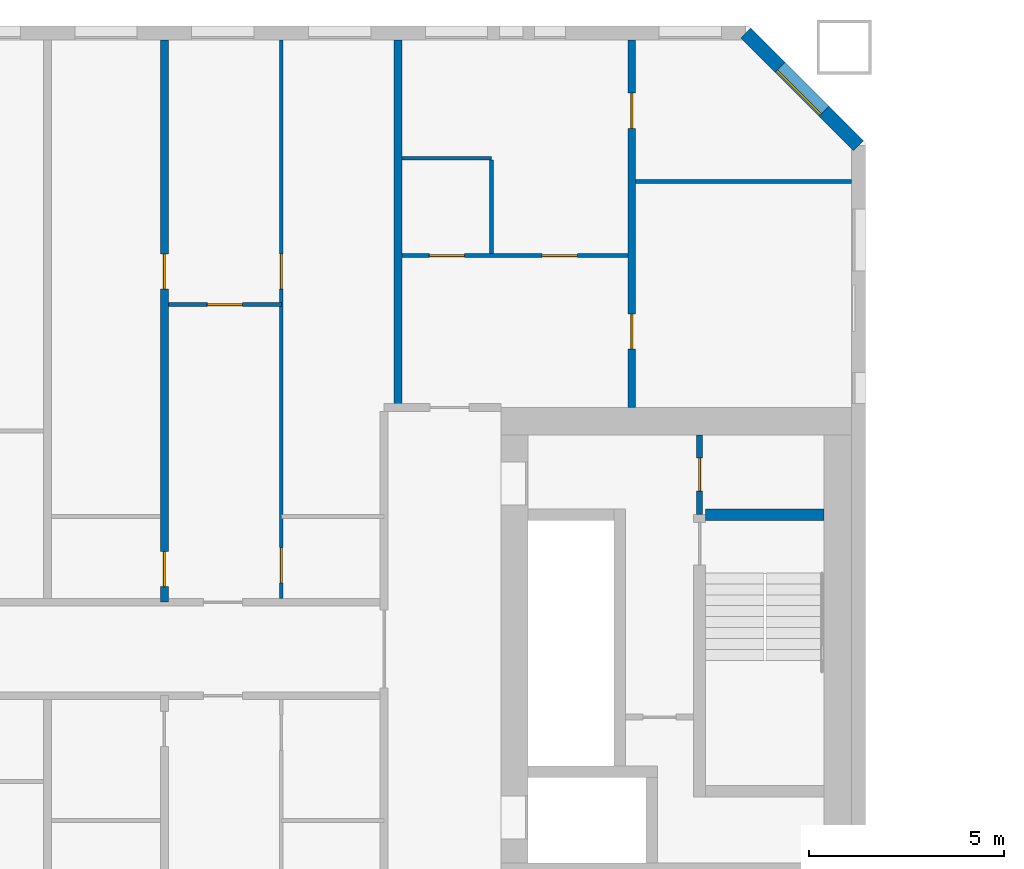
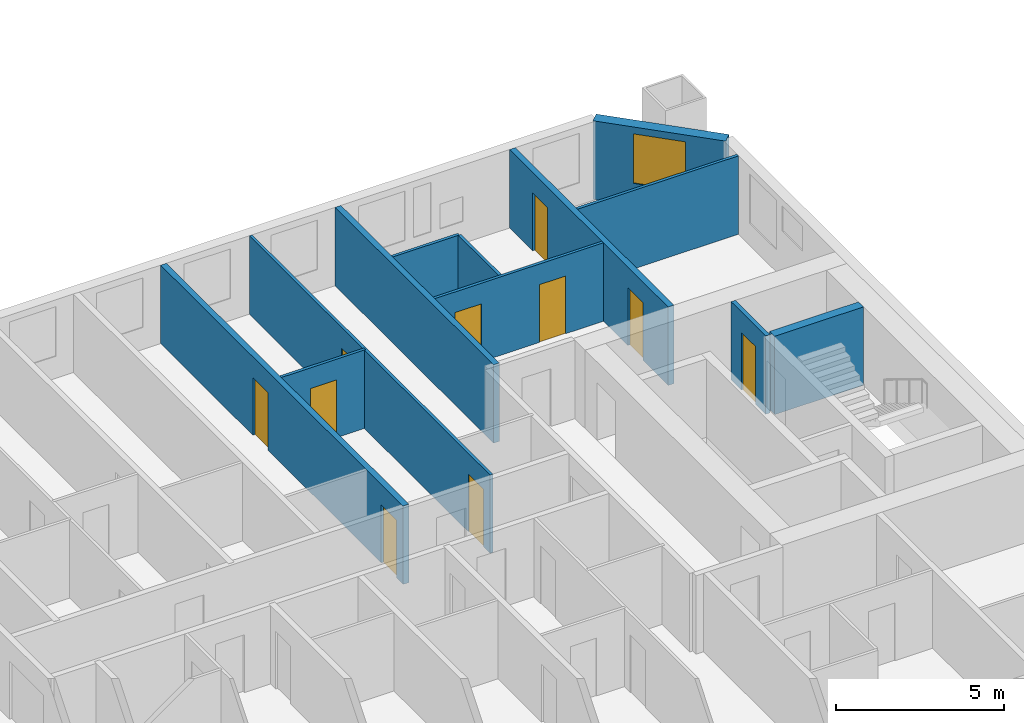
# One storey, part 8 of 17: 12 walls, 10 doors, 1 window, 11 openings.
"""IFC4 building model written with IfcOpenShell, lengths in metres."""

from ifc_helpers import new_model, si_unit, direction, frame, frame_2d, origin, place, context, subcontext, project, spatial, rectangle, extrude, material, layer, layer_set, type_object, element, fill, save


model = new_model("IFC4")

# Units and contexts
model_context = context("Model", 3, precision=1e-05, world=origin(), true_north=direction((0.0, 1.0)))
body_context = subcontext(model_context, "Body", "Model", "MODEL_VIEW")
ifc_project = project(units=[si_unit("LENGTHUNIT", "METRE"), si_unit("AREAUNIT", "SQUARE_METRE"), si_unit("VOLUMEUNIT", "CUBIC_METRE"), si_unit("PLANEANGLEUNIT", "RADIAN"), si_unit("MASSUNIT", "GRAM", prefix="KILO")], contexts=[model_context])

# Site, building, storey
site_placement = place(None, origin())
site = spatial("IfcSite", under=ifc_project, at=site_placement, CompositionType="ELEMENT")
building_placement = place(site_placement, origin())
building = spatial("IfcBuilding", under=site, at=building_placement, Name="Tuart Gate Housing", CompositionType="ELEMENT")
storey_placement = place(building_placement, frame((0.0, 0.0, 71.60009765625)))
storey = spatial("IfcBuildingStorey", under=building, at=storey_placement, Name="L19", CompositionType="ELEMENT", Elevation=71.60009765625)

# Wall, opening, window
ifc_material_1 = material(Name="Brick", Category="masonry")
ifc_layer_1 = layer(ifc_material_1, 0.360107421875)
ifc_layer_set_1 = layer_set([ifc_layer_1], Name="Brick pier and spandrel wall 360")
wall_type_1 = type_object("IfcWallType", Name="Brick pier and spandrel wall 360", PredefinedType="STANDARD", material=ifc_layer_set_1)
wall_1_placement = place(storey_placement, frame((75.820068359375, 82.92529296875, 0.0), z_axis=(0.0, 0.0, 1.0), x_axis=(-0.707106781187, 0.707106781187, 0.0)))
wall_1 = element("IfcWall", 1, at=wall_1_placement, inside=storey, type_object=wall_type_1, Name="External wall A-NE L19", PredefinedType="STANDARD", context=body_context, shape_type="SweptSolid", body=[
    extrude(rectangle(XDim=4.09375, YDim=0.360107421875, at=frame_2d((2.046875, 0.0))), origin(), (0.0, 0.0, 1.0), 2.849853515625),
])
opening_1_placement = place(wall_1_placement, frame((1.2470703125, 0.0, 0.800048828125)))
opening_1 = element("IfcOpeningElement", 2, at=opening_1_placement, cuts=wall_1, Name="Opening W1", PredefinedType="OPENING", context=body_context, shape_type="SweptSolid", body=[
    extrude(rectangle(XDim=1.60009765625, YDim=1.800048828125, at=frame_2d((0.800048828125, 0.89990234375))), frame((0.0, 0.18994140625, 0.0), z_axis=(0.0, -1.0, 0.0), x_axis=(1.0, 0.0, 0.0)), (0.0, 0.0, 1.0), 0.380126953125),
])
ifc_material_2 = material(Name="Aluminium frame with clear glass", Category="aluminium")
window_type = type_object("IfcWindowType", Name="Punched window 1600 x 1800", PartitioningType="SINGLE_PANEL", PredefinedType="WINDOW", material=ifc_material_2)
window_placement = place(opening_1_placement, origin())
window = element("IfcWindow", 3, at=window_placement, inside=storey, type_object=window_type, Name="Window W1", OverallHeight=1.800048828125, OverallWidth=1.60009765625, PartitioningType="SINGLE_PANEL", PredefinedType="WINDOW", context=body_context, shape_type="SweptSolid", body=[
    extrude(rectangle(XDim=1.60009765625, YDim=1.800048828125, at=frame_2d((0.800048828125, 0.89990234375))), frame((0.0, 0.150146484375, 0.0), z_axis=(0.0, -1.0, 0.0), x_axis=(1.0, 0.0, 0.0)), (0.0, 0.0, 1.0), 0.06005859375),
])
fill(opening_1, window)

# Wall, opening, door
ifc_material_3 = material(Name="Plasterboard partition")
ifc_layer_2 = layer(ifc_material_3, 0.14990234375)
ifc_layer_set_2 = layer_set([ifc_layer_2], Name="Core partition 150")
wall_type_2 = type_object("IfcWallType", Name="Core partition 150", PredefinedType="PARTITIONING", material=ifc_layer_set_2)
wall_2_placement = place(storey_placement, frame((71.739990234375, 73.449951171875, 0.0), z_axis=(0.0, 0.0, 1.0), x_axis=(0.0, 1.0, 0.0)))
wall_2 = element("IfcWall", 4, at=wall_2_placement, inside=storey, type_object=wall_type_2, Name="Core partition AG.9", PredefinedType="PARTITIONING", context=body_context, shape_type="SweptSolid", body=[
    extrude(rectangle(XDim=2.050048828125, YDim=0.14990234375, at=frame_2d((1.02490234375, 0.0))), origin(), (0.0, 0.0, 1.0), 2.849853515625),
])
opening_2_placement = place(wall_2_placement, frame((0.60009765625, 0.0, 0.0)))
opening_2 = element("IfcOpeningElement", 5, at=opening_2_placement, cuts=wall_2, Name="Opening D857", PredefinedType="OPENING", context=body_context, shape_type="SweptSolid", body=[
    extrude(rectangle(XDim=0.85009765625, YDim=2.10009765625, at=frame_2d((0.425048828125, 1.050048828125))), frame((0.0, 0.0849609375, 0.0), z_axis=(0.0, -1.0, 0.0), x_axis=(1.0, 0.0, 0.0)), (0.0, 0.0, 1.0), 0.169921875),
])
ifc_material_4 = material(Name="Steel fire door", Category="steel")
door_type_1 = type_object("IfcDoorType", Name="Service door 850 x 2100 RH", OperationType="SINGLE_SWING_RIGHT", PredefinedType="DOOR", material=ifc_material_4)
door_1_placement = place(opening_2_placement, frame((0.85009765625, 0.0, 0.0), z_axis=(0.0, 0.0, 1.0), x_axis=(-1.0, 0.0, 0.0)))
door_1 = element("IfcDoor", 6, at=door_1_placement, inside=storey, type_object=door_type_1, Name="Service room door AG.ST", OperationType="SINGLE_SWING_RIGHT", OverallHeight=2.10009765625, OverallWidth=0.85009765625, PredefinedType="DOOR", context=body_context, shape_type="SweptSolid", body=[
    extrude(rectangle(XDim=0.85009765625, YDim=2.10009765625, at=frame_2d((0.425048828125, 1.050048828125))), frame((0.0, 0.025146484375, 0.0), z_axis=(0.0, -1.0, 0.0), x_axis=(1.0, 0.0, 0.0)), (0.0, 0.0, 1.0), 0.050048828125),
])
fill(opening_2, door_1)

# Wall
ifc_material_5 = material(Name="Concrete C50", Category="concrete")
ifc_layer_3 = layer(ifc_material_5, 0.300048828125)
ifc_layer_set_3 = layer_set([ifc_layer_3], Name="Core wall 300 C50")
wall_type_3 = type_object("IfcWallType", Name="Core wall 300 C50", PredefinedType="SHEAR", material=ifc_layer_set_3)
wall_3_placement = place(storey_placement, frame((71.889892578125, 73.449951171875, 0.0), z_axis=(0.0, 0.0, 1.0), x_axis=(1.0, 0.0, 0.0)))
element("IfcWall", 7, at=wall_3_placement, inside=storey, type_object=wall_type_3, Name="Core wall AG.5", PredefinedType="SHEAR", context=body_context, shape_type="SweptSolid", body=[
    extrude(rectangle(XDim=3.050048828125, YDim=0.300048828125, at=frame_2d((1.52490234375, 0.0))), origin(), (0.0, 0.0, 1.0), 2.849853515625),
])

# Wall, opening, door
ifc_material_6 = material(Name="Gypsum board on steel studs", Category="steel")
ifc_layer_4 = layer(ifc_material_6, 0.10009765625)
ifc_layer_set_4 = layer_set([ifc_layer_4], Name="Partition 100")
wall_type_4 = type_object("IfcWallType", Name="Partition 100", PredefinedType="PARTITIONING", material=ifc_layer_set_4)
wall_4_placement = place(storey_placement, frame((58.10009765625, 78.840087890625, 0.0), z_axis=(0.0, 0.0, 1.0), x_axis=(1.0, 0.0, 0.0)))
wall_4 = element("IfcWall", 8, at=wall_4_placement, inside=storey, type_object=wall_type_4, Name="Partition 100", PredefinedType="PARTITIONING", context=body_context, shape_type="SweptSolid", body=[
    extrude(rectangle(XDim=2.89990234375, YDim=0.10009765625, at=frame_2d((1.449951171875, 0.0))), origin(), (0.0, 0.0, 1.0), 2.849853515625),
])
opening_3_placement = place(wall_4_placement, frame((1.0, 0.0, 0.0)))
opening_3 = element("IfcOpeningElement", 9, at=opening_3_placement, cuts=wall_4, Name="Opening D842", PredefinedType="OPENING", context=body_context, shape_type="SweptSolid", body=[
    extrude(rectangle(XDim=0.89990234375, YDim=2.10009765625, at=frame_2d((0.449951171875, 1.050048828125))), frame((0.0, 0.06005859375, 0.0), z_axis=(0.0, -1.0, 0.0), x_axis=(1.0, 0.0, 0.0)), (0.0, 0.0, 1.0), 0.1201171875),
])
ifc_material_7 = material(Name="Timber door leaf in steel frame", Category="steel")
door_type_2 = type_object("IfcDoorType", Name="Internal door 900", OperationType="SINGLE_SWING_LEFT", PredefinedType="DOOR", material=ifc_material_7)
door_2_placement = place(opening_3_placement, frame((0.89990234375, 0.0, 0.0), z_axis=(0.0, 0.0, 1.0), x_axis=(-1.0, 0.0, 0.0)))
door_2 = element("IfcDoor", 10, at=door_2_placement, inside=storey, type_object=door_type_2, Name="Internal door", OperationType="SINGLE_SWING_LEFT", OverallHeight=2.10009765625, OverallWidth=0.89990234375, PredefinedType="DOOR", context=body_context, shape_type="SweptSolid", body=[
    extrude(rectangle(XDim=0.89990234375, YDim=2.10009765625, at=frame_2d((0.449951171875, 1.050048828125))), frame((0.0, 0.025146484375, 0.0), z_axis=(0.0, -1.0, 0.0), x_axis=(1.0, 0.0, 0.0)), (0.0, 0.0, 1.0), 0.050048828125),
])
fill(opening_3, door_2)

# Wall, openings, doors
wall_5_placement = place(storey_placement, frame((64.10009765625, 80.10009765625, 0.0), z_axis=(0.0, 0.0, 1.0), x_axis=(1.0, 0.0, 0.0)))
wall_5 = element("IfcWall", 11, at=wall_5_placement, inside=storey, type_object=wall_type_4, Name="Partition 100", PredefinedType="PARTITIONING", context=body_context, shape_type="SweptSolid", body=[
    extrude(rectangle(XDim=5.7998046875, YDim=0.10009765625, at=frame_2d((2.89990234375, 0.0))), origin(), (0.0, 0.0, 1.0), 2.849853515625),
])
opening_4_placement = place(wall_5_placement, frame((3.60009765625, 0.0, 0.0)))
opening_4 = element("IfcOpeningElement", 12, at=opening_4_placement, cuts=wall_5, Name="Opening D841", PredefinedType="OPENING", context=body_context, shape_type="SweptSolid", body=[
    extrude(rectangle(XDim=0.89990234375, YDim=2.10009765625, at=frame_2d((0.449951171875, 1.050048828125))), frame((0.0, 0.06005859375, 0.0), z_axis=(0.0, -1.0, 0.0), x_axis=(1.0, 0.0, 0.0)), (0.0, 0.0, 1.0), 0.1201171875),
])
opening_5_placement = place(wall_5_placement, frame((0.699951171875, 0.0, 0.0)))
opening_5 = element("IfcOpeningElement", 13, at=opening_5_placement, cuts=wall_5, Name="Opening D840", PredefinedType="OPENING", context=body_context, shape_type="SweptSolid", body=[
    extrude(rectangle(XDim=0.89990234375, YDim=2.10009765625, at=frame_2d((0.449951171875, 1.050048828125))), frame((0.0, 0.06005859375, 0.0), z_axis=(0.0, -1.0, 0.0), x_axis=(1.0, 0.0, 0.0)), (0.0, 0.0, 1.0), 0.1201171875),
])
ifc_material_8 = material(Name="Timber door leaf in steel frame", Category="steel")
door_type_3 = type_object("IfcDoorType", Name="Bathroom door 900 RH", OperationType="SINGLE_SWING_RIGHT", PredefinedType="DOOR", material=ifc_material_8)
door_3_placement = place(opening_5_placement, origin())
door_3 = element("IfcDoor", 14, at=door_3_placement, inside=storey, type_object=door_type_3, Name="Bathroom door", OperationType="SINGLE_SWING_RIGHT", OverallHeight=2.10009765625, OverallWidth=0.89990234375, PredefinedType="DOOR", context=body_context, shape_type="SweptSolid", body=[
    extrude(rectangle(XDim=0.89990234375, YDim=2.10009765625, at=frame_2d((0.449951171875, 1.050048828125))), frame((0.0, 0.02490234375, 0.0), z_axis=(0.0, -1.0, 0.0), x_axis=(1.0, 0.0, 0.0)), (0.0, 0.0, 1.0), 0.050048828125),
])
fill(opening_5, door_3)
door_4_placement = place(opening_4_placement, frame((0.89990234375, 0.0, 0.0), z_axis=(0.0, 0.0, 1.0), x_axis=(-1.0, 0.0, 0.0)))
door_4 = element("IfcDoor", 15, at=door_4_placement, inside=storey, type_object=door_type_2, Name="Internal door", OperationType="SINGLE_SWING_LEFT", OverallHeight=2.10009765625, OverallWidth=0.89990234375, PredefinedType="DOOR", context=body_context, shape_type="SweptSolid", body=[
    extrude(rectangle(XDim=0.89990234375, YDim=2.10009765625, at=frame_2d((0.449951171875, 1.050048828125))), frame((0.0, 0.025146484375, 0.0), z_axis=(0.0, -1.0, 0.0), x_axis=(1.0, 0.0, 0.0)), (0.0, 0.0, 1.0), 0.050048828125),
])
fill(opening_4, door_4)

# Walls
wall_6_placement = place(storey_placement, frame((70.10009765625, 82.0, 0.0), z_axis=(0.0, 0.0, 1.0), x_axis=(1.0, 0.0, 0.0)))
element("IfcWall", 16, at=wall_6_placement, inside=storey, type_object=wall_type_4, Name="Partition 100", PredefinedType="PARTITIONING", context=body_context, shape_type="SweptSolid", body=[
    extrude(rectangle(XDim=5.539794921875, YDim=0.10009765625, at=frame_2d((2.77001953125, 0.0))), origin(), (0.0, 0.0, 1.0), 2.849853515625),
])
wall_7_placement = place(storey_placement, frame((64.10009765625, 82.60009765625, 0.0), z_axis=(0.0, 0.0, 1.0), x_axis=(1.0, 0.0, 0.0)))
element("IfcWall", 17, at=wall_7_placement, inside=storey, type_object=wall_type_4, Name="Partition 100", PredefinedType="PARTITIONING", context=body_context, shape_type="SweptSolid", body=[
    extrude(rectangle(XDim=2.2998046875, YDim=0.10009765625, at=frame_2d((1.14990234375, 0.0))), origin(), (0.0, 0.0, 1.0), 2.849853515625),
])

# Wall, openings, doors
wall_8_placement = place(storey_placement, frame((61.0, 71.300048828125, 0.0), z_axis=(0.0, 0.0, 1.0), x_axis=(0.0, 1.0, 0.0)))
wall_8 = element("IfcWall", 18, at=wall_8_placement, inside=storey, type_object=wall_type_4, Name="Partition 100", PredefinedType="PARTITIONING", context=body_context, shape_type="SweptSolid", body=[
    extrude(rectangle(XDim=14.33984375, YDim=0.10009765625, at=frame_2d((7.169921875, 0.0))), origin(), (0.0, 0.0, 1.0), 2.849853515625),
])
opening_6_placement = place(wall_8_placement, frame((7.93994140625, 0.0, 0.0)))
opening_6 = element("IfcOpeningElement", 19, at=opening_6_placement, cuts=wall_8, Name="Opening D848", PredefinedType="OPENING", context=body_context, shape_type="SweptSolid", body=[
    extrude(rectangle(XDim=0.89990234375, YDim=2.10009765625, at=frame_2d((0.449951171875, 1.050048828125))), frame((0.0, 0.06005859375, 0.0), z_axis=(0.0, -1.0, 0.0), x_axis=(1.0, 0.0, 0.0)), (0.0, 0.0, 1.0), 0.1201171875),
])
opening_7_placement = place(wall_8_placement, frame((0.39990234375, 0.0, 0.0)))
opening_7 = element("IfcOpeningElement", 20, at=opening_7_placement, cuts=wall_8, Name="Opening D847", PredefinedType="OPENING", context=body_context, shape_type="SweptSolid", body=[
    extrude(rectangle(XDim=0.89990234375, YDim=2.10009765625, at=frame_2d((0.449951171875, 1.050048828125))), frame((0.0, 0.06005859375, 0.0), z_axis=(0.0, -1.0, 0.0), x_axis=(1.0, 0.0, 0.0)), (0.0, 0.0, 1.0), 0.1201171875),
])
door_5_placement = place(opening_7_placement, frame((0.89990234375, 0.0, 0.0), z_axis=(0.0, 0.0, 1.0), x_axis=(-1.0, 0.0, 0.0)))
door_5 = element("IfcDoor", 21, at=door_5_placement, inside=storey, type_object=door_type_3, Name="Bathroom door", OperationType="SINGLE_SWING_RIGHT", OverallHeight=2.10009765625, OverallWidth=0.89990234375, PredefinedType="DOOR", context=body_context, shape_type="SweptSolid", body=[
    extrude(rectangle(XDim=0.89990234375, YDim=2.10009765625, at=frame_2d((0.449951171875, 1.050048828125))), frame((0.0, 0.025146484375, 0.0), z_axis=(0.0, -1.0, 0.0), x_axis=(1.0, 0.0, 0.0)), (0.0, 0.0, 1.0), 0.050048828125),
])
fill(opening_7, door_5)
door_6_placement = place(opening_6_placement, frame((0.89990234375, 0.0, 0.0), z_axis=(0.0, 0.0, 1.0), x_axis=(-1.0, 0.0, 0.0)))
door_6 = element("IfcDoor", 22, at=door_6_placement, inside=storey, type_object=door_type_2, Name="Internal door", OperationType="SINGLE_SWING_LEFT", OverallHeight=2.10009765625, OverallWidth=0.89990234375, PredefinedType="DOOR", context=body_context, shape_type="SweptSolid", body=[
    extrude(rectangle(XDim=0.89990234375, YDim=2.10009765625, at=frame_2d((0.449951171875, 1.050048828125))), frame((0.0, 0.025146484375, 0.0), z_axis=(0.0, -1.0, 0.0), x_axis=(1.0, 0.0, 0.0)), (0.0, 0.0, 1.0), 0.050048828125),
])
fill(opening_6, door_6)

# Wall
wall_9_placement = place(storey_placement, frame((66.39990234375, 80.14990234375, 0.0), z_axis=(0.0, 0.0, 1.0), x_axis=(0.0, 1.0, 0.0)))
element("IfcWall", 23, at=wall_9_placement, inside=storey, type_object=wall_type_4, Name="Partition 100", PredefinedType="PARTITIONING", context=body_context, shape_type="SweptSolid", body=[
    extrude(rectangle(XDim=2.400146484375, YDim=0.10009765625, at=frame_2d((1.2001953125, 0.0))), origin(), (0.0, 0.0, 1.0), 2.849853515625),
])

# Wall, openings, doors
ifc_material_9 = material(Name="Concrete C40", Category="concrete")
ifc_layer_5 = layer(ifc_material_9, 0.199951171875)
ifc_layer_set_5 = layer_set([ifc_layer_5], Name="Party wall concrete C40 200")
wall_type_5 = type_object("IfcWallType", Name="Party wall concrete C40 200", PredefinedType="SOLIDWALL", material=ifc_layer_set_5)
wall_10_placement = place(storey_placement, frame((58.0, 71.199951171875, 0.0), z_axis=(0.0, 0.0, 1.0), x_axis=(0.0, 1.0, 0.0)))
wall_10 = element("IfcWall", 24, at=wall_10_placement, inside=storey, type_object=wall_type_5, Name="Party wall concrete C40 200", PredefinedType="SOLIDWALL", context=body_context, shape_type="SweptSolid", body=[
    extrude(rectangle(XDim=14.43994140625, YDim=0.199951171875, at=frame_2d((7.219970703125, 0.0))), origin(), (0.0, 0.0, 1.0), 2.849853515625),
])
opening_8_placement = place(wall_10_placement, frame((8.0400390625, 0.0, 0.0)))
opening_8 = element("IfcOpeningElement", 25, at=opening_8_placement, cuts=wall_10, Name="Opening D852", PredefinedType="OPENING", context=body_context, shape_type="SweptSolid", body=[
    extrude(rectangle(XDim=0.89990234375, YDim=2.10009765625, at=frame_2d((0.449951171875, 1.050048828125))), frame((0.0, 0.10986328125, 0.0), z_axis=(0.0, -1.0, 0.0), x_axis=(1.0, 0.0, 0.0)), (0.0, 0.0, 1.0), 0.219970703125),
])
opening_9_placement = place(wall_10_placement, frame((0.39990234375, 0.0, 0.0)))
opening_9 = element("IfcOpeningElement", 26, at=opening_9_placement, cuts=wall_10, Name="Opening D851", PredefinedType="OPENING", context=body_context, shape_type="SweptSolid", body=[
    extrude(rectangle(XDim=0.89990234375, YDim=2.10009765625, at=frame_2d((0.449951171875, 1.050048828125))), frame((0.0, 0.10986328125, 0.0), z_axis=(0.0, -1.0, 0.0), x_axis=(1.0, 0.0, 0.0)), (0.0, 0.0, 1.0), 0.219970703125),
])
ifc_material_10 = material(Name="Timber door leaf in steel frame", Category="steel")
door_type_4 = type_object("IfcDoorType", Name="Bathroom door 900", OperationType="SINGLE_SWING_LEFT", PredefinedType="DOOR", material=ifc_material_10)
door_7_placement = place(opening_9_placement, origin())
door_7 = element("IfcDoor", 27, at=door_7_placement, inside=storey, type_object=door_type_4, Name="Bathroom door", OperationType="SINGLE_SWING_LEFT", OverallHeight=2.10009765625, OverallWidth=0.89990234375, PredefinedType="DOOR", context=body_context, shape_type="SweptSolid", body=[
    extrude(rectangle(XDim=0.89990234375, YDim=2.10009765625, at=frame_2d((0.449951171875, 1.050048828125))), frame((0.0, 0.02490234375, 0.0), z_axis=(0.0, -1.0, 0.0), x_axis=(1.0, 0.0, 0.0)), (0.0, 0.0, 1.0), 0.050048828125),
])
fill(opening_9, door_7)
ifc_material_11 = material(Name="Timber door leaf in steel frame", Category="steel")
door_type_5 = type_object("IfcDoorType", Name="Internal door 900 RH", OperationType="SINGLE_SWING_RIGHT", PredefinedType="DOOR", material=ifc_material_11)
door_8_placement = place(opening_8_placement, origin())
door_8 = element("IfcDoor", 28, at=door_8_placement, inside=storey, type_object=door_type_5, Name="Internal door", OperationType="SINGLE_SWING_RIGHT", OverallHeight=2.10009765625, OverallWidth=0.89990234375, PredefinedType="DOOR", context=body_context, shape_type="SweptSolid", body=[
    extrude(rectangle(XDim=0.89990234375, YDim=2.10009765625, at=frame_2d((0.449951171875, 1.050048828125))), frame((0.0, 0.02490234375, 0.0), z_axis=(0.0, -1.0, 0.0), x_axis=(1.0, 0.0, 0.0)), (0.0, 0.0, 1.0), 0.050048828125),
])
fill(opening_8, door_8)

# Wall
wall_11_placement = place(storey_placement, frame((64.0, 76.199951171875, 0.0), z_axis=(0.0, 0.0, 1.0), x_axis=(0.0, 1.0, 0.0)))
element("IfcWall", 29, at=wall_11_placement, inside=storey, type_object=wall_type_5, Name="Party wall concrete C40 200", PredefinedType="SOLIDWALL", context=body_context, shape_type="SweptSolid", body=[
    extrude(rectangle(XDim=9.43994140625, YDim=0.199951171875, at=frame_2d((4.719970703125, 0.0))), origin(), (0.0, 0.0, 1.0), 2.849853515625),
])

# Wall, openings, doors
wall_12_placement = place(storey_placement, frame((70.0, 76.199951171875, 0.0), z_axis=(0.0, 0.0, 1.0), x_axis=(0.0, 1.0, 0.0)))
wall_12 = element("IfcWall", 30, at=wall_12_placement, inside=storey, type_object=wall_type_5, Name="Party wall concrete C40 200", PredefinedType="SOLIDWALL", context=body_context, shape_type="SweptSolid", body=[
    extrude(rectangle(XDim=9.43994140625, YDim=0.199951171875, at=frame_2d((4.719970703125, 0.0))), origin(), (0.0, 0.0, 1.0), 2.849853515625),
])
opening_10_placement = place(wall_12_placement, frame((7.169921875, 0.0, 0.0)))
opening_10 = element("IfcOpeningElement", 31, at=opening_10_placement, cuts=wall_12, Name="Opening D838", PredefinedType="OPENING", context=body_context, shape_type="SweptSolid", body=[
    extrude(rectangle(XDim=0.89990234375, YDim=2.10009765625, at=frame_2d((0.449951171875, 1.050048828125))), frame((0.0, 0.10986328125, 0.0), z_axis=(0.0, -1.0, 0.0), x_axis=(1.0, 0.0, 0.0)), (0.0, 0.0, 1.0), 0.219970703125),
])
opening_11_placement = place(wall_12_placement, frame((1.5, 0.0, 0.0)))
opening_11 = element("IfcOpeningElement", 32, at=opening_11_placement, cuts=wall_12, Name="Opening D839", PredefinedType="OPENING", context=body_context, shape_type="SweptSolid", body=[
    extrude(rectangle(XDim=0.89990234375, YDim=2.10009765625, at=frame_2d((0.449951171875, 1.050048828125))), frame((0.0, 0.10986328125, 0.0), z_axis=(0.0, -1.0, 0.0), x_axis=(1.0, 0.0, 0.0)), (0.0, 0.0, 1.0), 0.219970703125),
])
door_9_placement = place(opening_10_placement, frame((0.89990234375, 0.0, 0.0), z_axis=(0.0, 0.0, 1.0), x_axis=(-1.0, 0.0, 0.0)))
door_9 = element("IfcDoor", 33, at=door_9_placement, inside=storey, type_object=door_type_5, Name="Internal door", OperationType="SINGLE_SWING_RIGHT", OverallHeight=2.10009765625, OverallWidth=0.89990234375, PredefinedType="DOOR", context=body_context, shape_type="SweptSolid", body=[
    extrude(rectangle(XDim=0.89990234375, YDim=2.10009765625, at=frame_2d((0.449951171875, 1.050048828125))), frame((0.0, 0.025146484375, 0.0), z_axis=(0.0, -1.0, 0.0), x_axis=(1.0, 0.0, 0.0)), (0.0, 0.0, 1.0), 0.050048828125),
])
fill(opening_10, door_9)
door_10_placement = place(opening_11_placement, frame((0.89990234375, 0.0, 0.0), z_axis=(0.0, 0.0, 1.0), x_axis=(-1.0, 0.0, 0.0)))
door_10 = element("IfcDoor", 34, at=door_10_placement, inside=storey, type_object=door_type_5, Name="Internal door", OperationType="SINGLE_SWING_RIGHT", OverallHeight=2.10009765625, OverallWidth=0.89990234375, PredefinedType="DOOR", context=body_context, shape_type="SweptSolid", body=[
    extrude(rectangle(XDim=0.89990234375, YDim=2.10009765625, at=frame_2d((0.449951171875, 1.050048828125))), frame((0.0, 0.025146484375, 0.0), z_axis=(0.0, -1.0, 0.0), x_axis=(1.0, 0.0, 0.0)), (0.0, 0.0, 1.0), 0.050048828125),
])
fill(opening_11, door_10)

save(model, "model.ifc")
